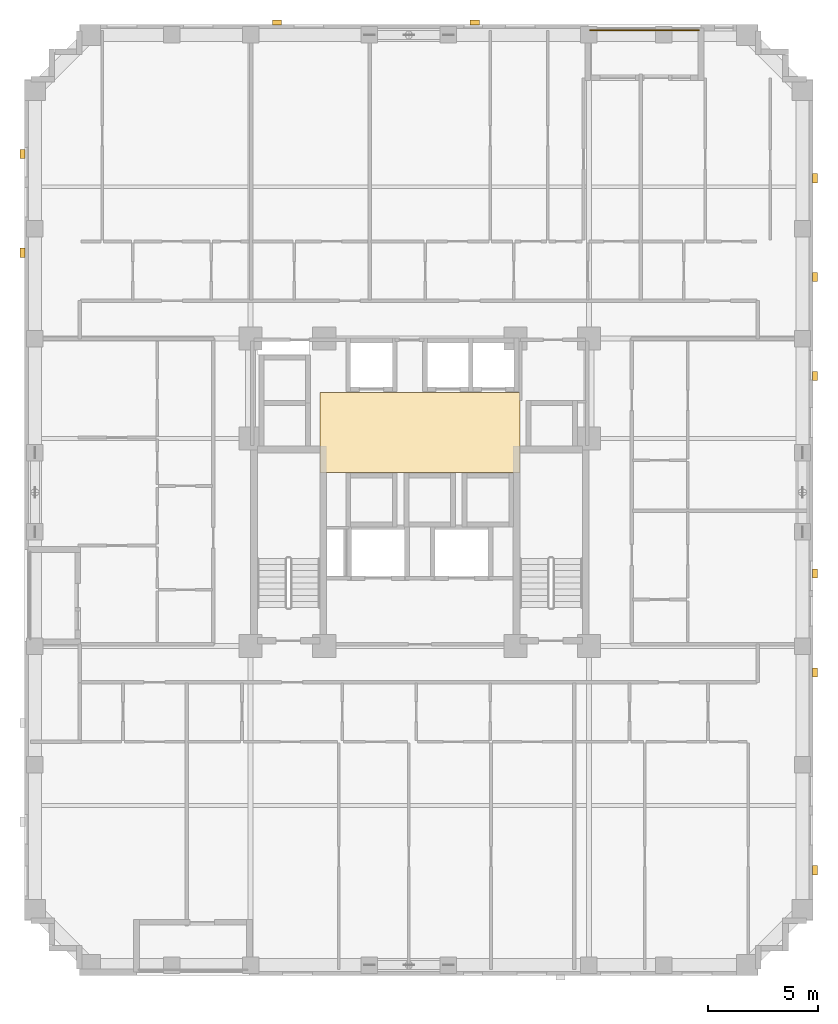
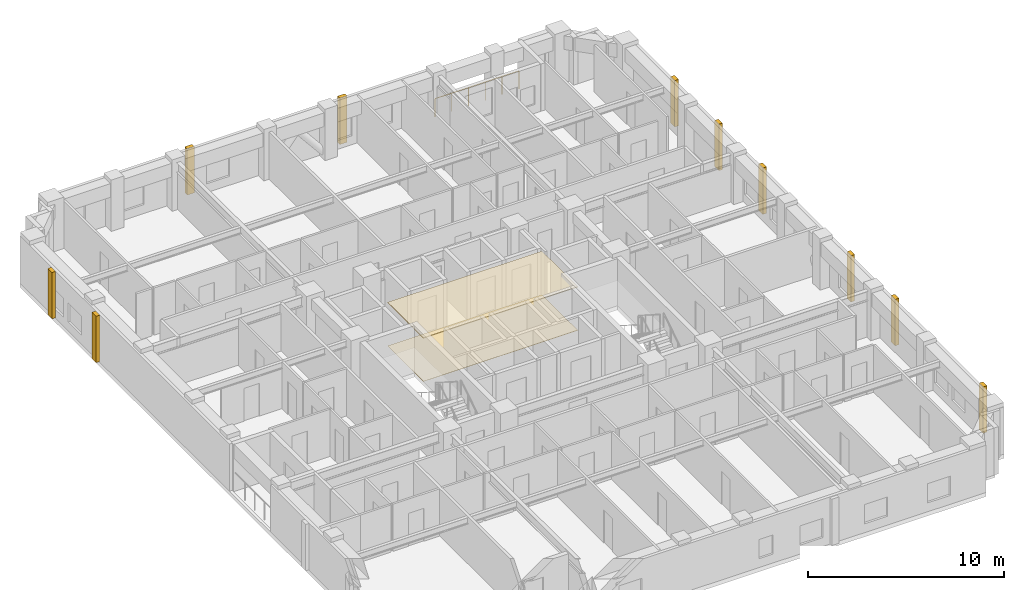
# One storey, part 12 of 12: 12 coverings, 1 railing.
"""IFC4 building model written with IfcOpenShell, lengths in metres."""

from ifc_helpers import new_model, si_unit, derived_unit, direction, frame, origin, origin_2d, place, context, subcontext, project, spatial, polyline, rectangle, circle, outline, extrude, material, layer, layer_set, type_object, element, save


model = new_model("IFC4")

# Units and contexts
model_context = context("Model", 3, precision=1e-05, world=origin(), true_north=direction((0.0, 1.0)))
body_context = subcontext(model_context, "Body", "Model", "MODEL_VIEW")
ifc_project = project(units=[si_unit("LENGTHUNIT", "METRE"), si_unit("AREAUNIT", "SQUARE_METRE"), si_unit("VOLUMEUNIT", "CUBIC_METRE"), si_unit("PLANEANGLEUNIT", "RADIAN"), si_unit("MASSUNIT", "GRAM", prefix="KILO"), derived_unit("THERMALTRANSMITTANCEUNIT", [(si_unit("MASSUNIT", "GRAM", prefix="KILO"), 1), (si_unit("TIMEUNIT", "SECOND"), -3), (si_unit("THERMODYNAMICTEMPERATUREUNIT", "KELVIN"), -1)])], contexts=[model_context])

# Site, building, storey
site_placement = place(None, origin())
site = spatial("IfcSite", under=ifc_project, at=site_placement, CompositionType="ELEMENT")
building_placement = place(site_placement, origin())
building = spatial("IfcBuilding", under=site, at=building_placement, Name="Korrvale Station Residences", CompositionType="ELEMENT")
storey_placement = place(building_placement, frame((0.0, 0.0, 107.10009765625)))
storey = spatial("IfcBuildingStorey", under=building, at=storey_placement, Name="L30", CompositionType="ELEMENT", Elevation=107.10009765625)

# Coverings
ifc_material_1 = material(Name="Perforated acoustic mineral-fibre suspended ceiling", Category="gypsum")
ifc_layer_1 = layer(ifc_material_1, 0.050048828125, Name="Perforated acoustic mineral-fibre suspended ceiling")
ifc_layer_set_1 = layer_set([ifc_layer_1], Name="Perforated acoustic mineral-fibre suspended ceiling")
covering_type_1 = type_object("IfcCoveringType", Name="COV-CLG-AC60", PredefinedType="CEILING", material=ifc_layer_set_1)
covering_1_placement = place(storey_placement, frame((0.0, 0.0, 2.68994140625)))
element("IfcCovering", 1, at=covering_1_placement, inside=storey, type_object=covering_type_1, Name="L30 Elevator Lobby Acoustic Ceiling", PredefinedType="CEILING", context=body_context, shape_type="SweptSolid", body=[
    extrude(outline(polyline([(20.949951171875, 22.89990234375), (30.050048828125, 22.89990234375), (30.050048828125, 26.550048828125), (20.949951171875, 26.550048828125), (20.949951171875, 22.89990234375)])), origin(), (0.0, 0.0, 1.0), 0.050048828125),
])
ifc_material_2 = material(Name="Polished quartz-terrazzo lobby flooring", Category="masonry")
ifc_layer_2 = layer(ifc_material_2, 0.02001953125, Name="Polished quartz-terrazzo lobby flooring")
ifc_layer_set_2 = layer_set([ifc_layer_2], Name="Polished quartz-terrazzo lobby flooring")
covering_type_2 = type_object("IfcCoveringType", Name="COV-FLR-TER20", PredefinedType="FLOORING", material=ifc_layer_set_2)
covering_2_placement = place(storey_placement, origin())
element("IfcCovering", 2, at=covering_2_placement, inside=storey, type_object=covering_type_2, Name="L30 Elevator Lobby Terrazzo Flooring", PredefinedType="FLOORING", context=body_context, shape_type="SweptSolid", body=[
    extrude(outline(polyline([(20.949951171875, 22.89990234375), (30.050048828125, 22.89990234375), (30.050048828125, 26.550048828125), (20.949951171875, 26.550048828125), (20.949951171875, 22.89990234375)])), origin(), (0.0, 0.0, 1.0), 0.02001953125),
])
ifc_material_3 = material(Name="Architectural precast concrete C45/55", Category="concrete")
ifc_layer_3 = layer(ifc_material_3, 0.219970703125, Name="Architectural precast concrete C45/55")
ifc_layer_set_3 = layer_set([ifc_layer_3], Name="Architectural precast concrete C45/55")
covering_type_3 = type_object("IfcCoveringType", Name="COV-PIER-400", PredefinedType="CLADDING", material=ifc_layer_set_3)
for number, where, z_axis, x_axis, name in (
    (3, (19.0, 43.389892578125, 0.02490234375), (0.0, 0.0, 1.0), (1.0, 0.0, 0.0), "L30 Architectural Precast Facade Pier 02"),
    (4, (28.0, 43.389892578125, 0.02490234375), (0.0, 0.0, 1.0), (1.0, 0.0, 0.0), "L30 Architectural Precast Facade Pier 03"),
    (5, (7.409912109375, 32.89990234375, 0.02490234375), (0.0, 0.0, 1.0), (0.0, 1.0, 0.0), "L30 Architectural Precast Facade Pier 06"),
    (6, (7.409912109375, 37.39990234375, 0.02490234375), (0.0, 0.0, 1.0), (0.0, 1.0, 0.0), "L30 Architectural Precast Facade Pier 07"),
    (7, (43.489990234375, 36.300048828125, 0.02490234375), (0.0, 0.0, 1.0), (0.0, 1.0, 0.0), "L30 Architectural Precast Facade Pier 08"),
    (8, (43.489990234375, 31.800048828125, 0.02490234375), (0.0, 0.0, 1.0), (0.0, 1.0, 0.0), "L30 Architectural Precast Facade Pier 09"),
    (9, (43.489990234375, 27.300048828125, 0.02490234375), (0.0, 0.0, 1.0), (0.0, 1.0, 0.0), "L30 Architectural Precast Facade Pier 10"),
    (10, (43.489990234375, 18.300048828125, 0.02490234375), (0.0, 0.0, 1.0), (0.0, 1.0, 0.0), "L30 Architectural Precast Facade Pier 11"),
    (11, (43.489990234375, 13.800048828125, 0.02490234375), (0.0, 0.0, 1.0), (0.0, 1.0, 0.0), "L30 Architectural Precast Facade Pier 12"),
    (12, (43.489990234375, 4.800048828125, 0.02490234375), (0.0, 0.0, 1.0), (0.0, 1.0, 0.0), "L30 Architectural Precast Facade Pier 13"),
):
    element("IfcCovering", number, at=place(storey_placement, frame(where, z_axis=z_axis, x_axis=x_axis)), inside=storey, type_object=covering_type_3, Name=name, PredefinedType="CLADDING", context=body_context, shape_type="SweptSolid", body=[
        extrude(rectangle(XDim=0.419921875, YDim=0.219970703125, at=origin_2d()), origin(), (0.0, 0.0, 1.0), 2.889892578125),
    ])

# Railing
ifc_material_4 = material(Name="Powder-coated aluminium picket loggia guard", Category="aluminium")
railing_type = type_object("IfcRailingType", Name="RLG-BAL-1150", PredefinedType="GUARDRAIL", material=ifc_material_4)
railing_placement = place(storey_placement, frame((33.25, 43.030029296875, 0.0)))
element("IfcRailing", 13, at=railing_placement, inside=storey, type_object=railing_type, Name="L30 Recessed Loggia Guardrail BAL-L30-N1", PredefinedType="GUARDRAIL", context=body_context, shape_type="SweptSolid", body=[
    extrude(circle(Radius=0.02392578125, at=origin_2d()), frame((0.0, 0.0, 1.1259765625), z_axis=(1.0, 0.0, 0.0), x_axis=(0.0, 1.0, 0.0)), (0.0, 0.0, 1.0), 4.949951171875),
    extrude(circle(Radius=0.02099609375, at=origin_2d()), origin(), (0.0, 0.0, 1.0), 1.101806640625),
    extrude(circle(Radius=0.02099609375, at=origin_2d()), frame((0.989990234375, 0.0, 0.0)), (0.0, 0.0, 1.0), 1.101806640625),
    extrude(circle(Radius=0.02099609375, at=origin_2d()), frame((1.97998046875, 0.0, 0.0)), (0.0, 0.0, 1.0), 1.101806640625),
    extrude(circle(Radius=0.02099609375, at=origin_2d()), frame((2.969970703125, 0.0, 0.0)), (0.0, 0.0, 1.0), 1.101806640625),
    extrude(circle(Radius=0.02099609375, at=origin_2d()), frame((3.9599609375, 0.0, 0.0)), (0.0, 0.0, 1.0), 1.101806640625),
    extrude(circle(Radius=0.02099609375, at=origin_2d()), frame((4.949951171875, 0.0, 0.0)), (0.0, 0.0, 1.0), 1.101806640625),
])

save(model, "model.ifc")
